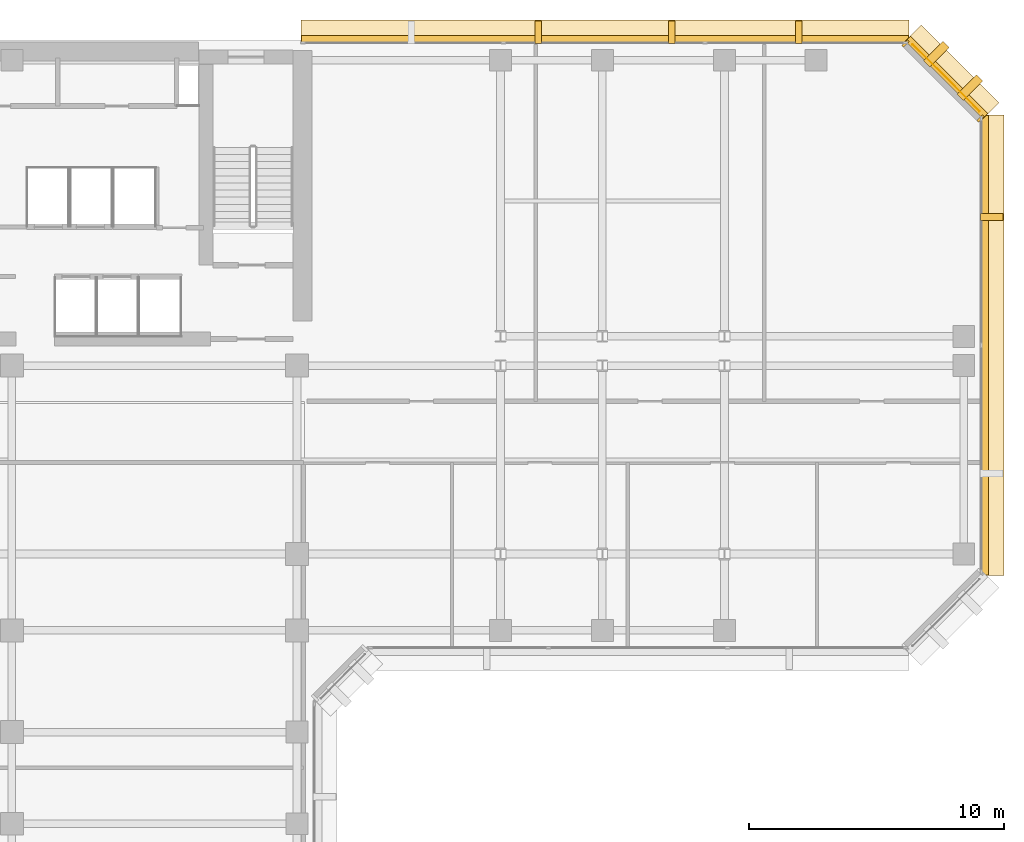
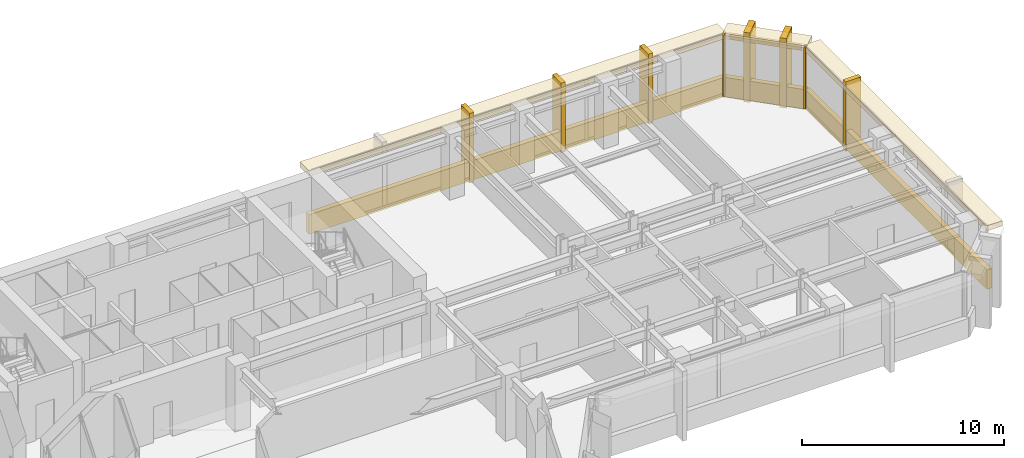
# One storey, part 11 of 11: 15 coverings.
"""IFC4 building model written with IfcOpenShell, lengths in metres."""

from ifc_helpers import new_model, si_unit, direction, frame, origin, origin_2d, place, context, subcontext, project, spatial, rectangle, extrude, material, layer, layer_set, type_object, element, save


model = new_model("IFC4")

# Units and contexts
model_context = context("Model", 3, precision=1e-05, world=origin(), true_north=direction((0.0, 1.0)))
body_context = subcontext(model_context, "Body", "Model", "MODEL_VIEW")
ifc_project = project(units=[si_unit("LENGTHUNIT", "METRE"), si_unit("AREAUNIT", "SQUARE_METRE"), si_unit("VOLUMEUNIT", "CUBIC_METRE"), si_unit("PLANEANGLEUNIT", "RADIAN"), si_unit("MASSUNIT", "GRAM", prefix="KILO")], contexts=[model_context])

# Site, building, storey
site_placement = place(None, origin())
site = spatial("IfcSite", under=ifc_project, at=site_placement, CompositionType="ELEMENT")
building_placement = place(site_placement, origin())
building = spatial("IfcBuilding", under=site, at=building_placement, Name="Kefirva Bronze Tower", CompositionType="ELEMENT")
storey_placement = place(building_placement, frame((0.0, 0.0, 154.77001953125)))
storey = spatial("IfcBuildingStorey", under=building, at=storey_placement, Name="L37", CompositionType="ELEMENT", Elevation=154.77001953125)

# Coverings
ifc_material = material(Name="Bronze anodised aluminium", Category="aluminium")
ifc_layer_1 = layer(ifc_material, 0.02001953125, Name="Bronze anodised aluminium")
ifc_layer_set_1 = layer_set([ifc_layer_1], Name="Bronze anodised aluminium")
covering_type_1 = type_object("IfcCoveringType", Name="Anodised Bronze Spandrel Cladding 20mm", PredefinedType="CLADDING", material=ifc_layer_set_1)
covering_1_placement = place(storey_placement, frame((50.239990234375, 34.0, -0.16015625), z_axis=(0.0, 0.0, 1.0), x_axis=(0.0, 1.0, 0.0)))
element("IfcCovering", 1, at=covering_1_placement, inside=storey, type_object=covering_type_1, Name="L37 Streamline Horizontal Spandrel Band 6", PredefinedType="CLADDING", context=body_context, shape_type="SweptSolid", body=[
    extrude(rectangle(XDim=18.0400390625, YDim=0.280029296875, at=origin_2d()), origin(), (0.0, 0.0, 1.0), 1.179931640625),
])
covering_2_placement = place(storey_placement, frame((48.70703125, 44.507080078125, 3.2900390625), z_axis=(0.0, 0.0, 1.0), x_axis=(-0.707106781187, 0.707106781187, 0.0)))
element("IfcCovering", 2, at=covering_2_placement, inside=storey, type_object=covering_type_1, Name="L37 Bronze Spandrel Cladding 4", PredefinedType="CLADDING", context=body_context, shape_type="SweptSolid", body=[
    extrude(rectangle(XDim=3.719482421875, YDim=0.02001953125, at=origin_2d()), origin(), (0.0, 0.0, 1.0), 0.39990234375),
])
for number, where, z_axis, x_axis, name in (
    (3, (50.06201171875, 42.91162109375, 0.0), (0.0, 0.0, 1.0), (-0.707106781187, 0.707106781187, 0.0), "L37 Facade Joint Closure Panel 4S"),
    (4, (47.11181640625, 45.862060546875, 0.0), (0.0, 0.0, 1.0), (-0.707106781187, 0.707106781187, 0.0), "L37 Facade Joint Closure Panel 4E"),
):
    element("IfcCovering", number, at=place(storey_placement, frame(where, z_axis=z_axis, x_axis=x_axis)), inside=storey, type_object=covering_type_1, Name=name, PredefinedType="CLADDING", context=body_context, shape_type="SweptSolid", body=[
        extrude(rectangle(XDim=0.10009765625, YDim=0.320068359375, at=origin_2d()), origin(), (0.0, 0.0, 1.0), 3.7099609375),
    ])
covering_3_placement = place(storey_placement, frame((48.728271484375, 44.5283203125, -0.16015625), z_axis=(0.0, 0.0, 1.0), x_axis=(-0.707106781187, 0.707106781187, 0.0)))
element("IfcCovering", 5, at=covering_3_placement, inside=storey, type_object=covering_type_1, Name="L37 Streamline Horizontal Spandrel Band 7", PredefinedType="CLADDING", context=body_context, shape_type="SweptSolid", body=[
    extrude(rectangle(XDim=4.28271484375, YDim=0.280029296875, at=origin_2d()), origin(), (0.0, 0.0, 1.0), 1.179931640625),
])
covering_4_placement = place(storey_placement, frame((35.302490234375, 46.0400390625, -0.16015625), z_axis=(0.0, 0.0, 1.0), x_axis=(-1.0, 0.0, 0.0)))
element("IfcCovering", 6, at=covering_4_placement, inside=storey, type_object=covering_type_1, Name="L37 Streamline Horizontal Spandrel Band 8", PredefinedType="CLADDING", context=body_context, shape_type="SweptSolid", body=[
    extrude(rectangle(XDim=23.8349609375, YDim=0.280029296875, at=origin_2d()), origin(), (0.0, 0.0, 1.0), 1.179931640625),
])
ifc_layer_2 = layer(ifc_material, 0.179931640625, Name="Bronze anodised aluminium")
ifc_layer_set_2 = layer_set([ifc_layer_2], Name="Bronze anodised aluminium")
covering_type_2 = type_object("IfcCoveringType", Name="Streamline Bronze Sunshade Eyebrow Cladding 180mm", PredefinedType="CLADDING", material=ifc_layer_set_2)
covering_5_placement = place(storey_placement, frame((50.510009765625, 34.0, 3.39013671875), z_axis=(0.0, 0.0, 1.0), x_axis=(0.0, 1.0, 0.0)))
element("IfcCovering", 7, at=covering_5_placement, inside=storey, type_object=covering_type_2, Name="L37 Streamline Bronze Sunshade Eyebrow 6", PredefinedType="CLADDING", context=body_context, shape_type="SweptSolid", body=[
    extrude(rectangle(XDim=18.080078125, YDim=0.93994140625, at=origin_2d()), origin(), (0.0, 0.0, 1.0), 0.320068359375),
])
covering_6_placement = place(storey_placement, frame((48.919189453125, 44.71923828125, 3.39013671875), z_axis=(0.0, 0.0, 1.0), x_axis=(-0.707106781187, 0.707106781187, 0.0)))
element("IfcCovering", 8, at=covering_6_placement, inside=storey, type_object=covering_type_2, Name="L37 Streamline Bronze Sunshade Eyebrow 7", PredefinedType="CLADDING", context=body_context, shape_type="SweptSolid", body=[
    extrude(rectangle(XDim=4.322509765625, YDim=0.93994140625, at=origin_2d()), origin(), (0.0, 0.0, 1.0), 0.320068359375),
])
covering_7_placement = place(storey_placement, frame((35.302490234375, 46.31005859375, 3.39013671875), z_axis=(0.0, 0.0, 1.0), x_axis=(-1.0, 0.0, 0.0)))
element("IfcCovering", 9, at=covering_7_placement, inside=storey, type_object=covering_type_2, Name="L37 Streamline Bronze Sunshade Eyebrow 8", PredefinedType="CLADDING", context=body_context, shape_type="SweptSolid", body=[
    extrude(rectangle(XDim=23.875, YDim=0.93994140625, at=origin_2d()), origin(), (0.0, 0.0, 1.0), 0.320068359375),
])
ifc_layer_3 = layer(ifc_material, 0.260009765625, Name="Bronze anodised aluminium")
ifc_layer_set_3 = layer_set([ifc_layer_3], Name="Bronze anodised aluminium")
covering_type_3 = type_object("IfcCoveringType", Name="Unbroken Bronze Buttress Fin Cladding 260mm", PredefinedType="CLADDING", material=ifc_layer_set_3)
covering_8_placement = place(storey_placement, frame((50.5, 39.0400390625, -0.25), z_axis=(0.0, 0.0, 1.0), x_axis=(0.0, 1.0, 0.0)))
element("IfcCovering", 10, at=covering_8_placement, inside=storey, type_object=covering_type_3, Name="L37 Unbroken Vertical Bronze Rib Fin 14", PredefinedType="CLADDING", context=body_context, shape_type="SweptSolid", body=[
    extrude(rectangle(XDim=0.260009765625, YDim=0.8798828125, at=origin_2d()), origin(), (0.0, 0.0, 1.0), 4.2099609375),
])
for number, where, z_axis, x_axis, name in (
    (11, (49.642822265625, 44.122802734375, -0.25), (0.0, 0.0, 1.0), (-0.707106781187, 0.707106781187, 0.0), "L37 Chamfered Corner Buttress Fin Cladding 15"),
    (12, (48.32275390625, 45.44287109375, -0.25), (0.0, 0.0, 1.0), (-0.707106781187, 0.707106781187, 0.0), "L37 Chamfered Corner Buttress Fin Cladding 16"),
):
    element("IfcCovering", number, at=place(storey_placement, frame(where, z_axis=z_axis, x_axis=x_axis)), inside=storey, type_object=covering_type_3, Name=name, PredefinedType="CLADDING", context=body_context, shape_type="SweptSolid", body=[
        extrude(rectangle(XDim=0.340087890625, YDim=1.080078125, at=origin_2d()), origin(), (0.0, 0.0, 1.0), 4.2099609375),
    ])
for number, where, z_axis, x_axis, name in (
    (13, (42.9169921875, 46.300048828125, -0.25), (0.0, 0.0, 1.0), (-1.0, 0.0, 0.0), "L37 Unbroken Vertical Bronze Rib Fin 17"),
    (14, (37.919921875, 46.300048828125, -0.25), (0.0, 0.0, 1.0), (-1.0, 0.0, 0.0), "L37 Unbroken Vertical Bronze Rib Fin 18"),
    (15, (32.68505859375, 46.300048828125, -0.25), (0.0, 0.0, 1.0), (-1.0, 0.0, 0.0), "L37 Unbroken Vertical Bronze Rib Fin 19"),
):
    element("IfcCovering", number, at=place(storey_placement, frame(where, z_axis=z_axis, x_axis=x_axis)), inside=storey, type_object=covering_type_3, Name=name, PredefinedType="CLADDING", context=body_context, shape_type="SweptSolid", body=[
        extrude(rectangle(XDim=0.260009765625, YDim=0.8798828125, at=origin_2d()), origin(), (0.0, 0.0, 1.0), 4.2099609375),
    ])

save(model, "model.ifc")
